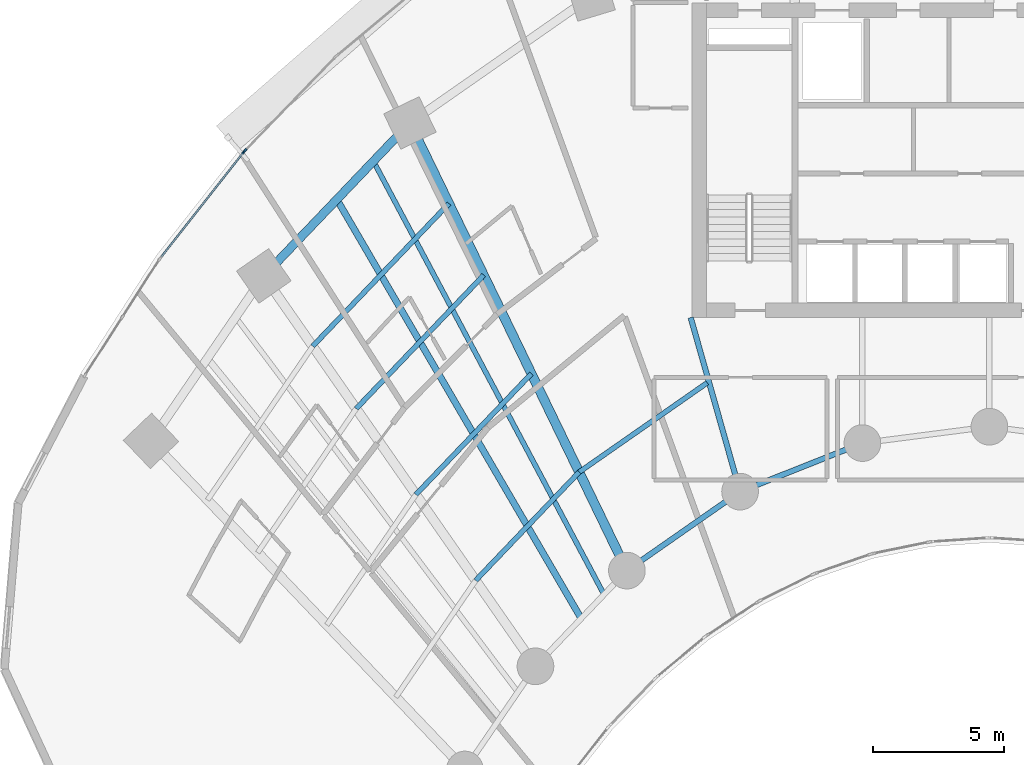
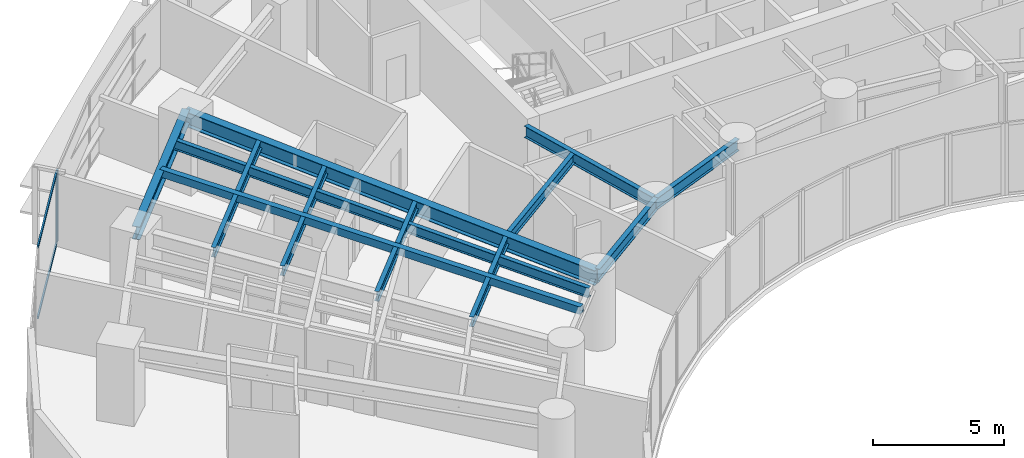
# One storey, part 3 of 17: 12 beams, 4 members, 2 elements without a shape of their own.
"""IFC4 building model written with IfcOpenShell, lengths in metres."""

import ifcopenshell
import ifcopenshell.guid

model = None  # the IFC model being written
_history = None  # IfcOwnerHistory: only IFC2X3 demands one
_inside = {}  # id of a spatial element -> (the spatial element, [elements in it])
_under = {}  # id of a project, library or spatial element -> (it, [spatial elements below it])
_declared = {}  # id of a project -> (the project, [libraries it declares])
_typed = {}  # id of a type object -> (the type object, [elements of that type])
_made_of = {}  # id of a material, layer set ... -> (it, [elements and type objects made of it])


def new_model(schema):
    """Start an empty IFC model of exactly this schema.

    Asked for "IFC4X3", IfcOpenShell would pick the latest addendum, in which some entities
    have other attributes; the version numbers below select the first issue.
    IFC2X3 requires an IfcOwnerHistory on every rooted entity: one is made here for all.
    """
    global model, _history
    if schema == "IFC4X3":
        model = ifcopenshell.file(schema_version=(4, 3, 0, 0))
    else:
        model = ifcopenshell.file(schema=schema)
    _inside.clear()
    _under.clear()
    _declared.clear()
    _typed.clear()
    _made_of.clear()
    _history = None
    if model.schema == "IFC2X3":
        org = make("IfcOrganization", Name="unknown")
        user = make(
            "IfcPersonAndOrganization",
            ThePerson=make("IfcPerson", FamilyName="unknown"),
            TheOrganization=org,
        )
        app = make(
            "IfcApplication",
            ApplicationDeveloper=org,
            Version="unknown",
            ApplicationFullName="unknown",
            ApplicationIdentifier="unknown",
        )
        _history = make(
            "IfcOwnerHistory",
            OwningUser=user,
            OwningApplication=app,
            ChangeAction="ADDED",
            CreationDate=0,
        )
    return model


def make(cls, **values):
    """One entity of the class cls with the attributes given. An attribute that is None is left unset."""
    return model.create_entity(
        cls, **{name: value for name, value in values.items() if value is not None}
    )


def rooted(cls, **values):
    """An entity with a GlobalId (a new one), such as an element, a storey or a relation."""
    return make(cls, GlobalId=ifcopenshell.guid.new(), OwnerHistory=_history, **values)


def si_unit(unit_type, name, prefix=None):
    """IfcSIUnit, for example si_unit("LENGTHUNIT", "METRE", prefix="MILLI")."""
    return make("IfcSIUnit", UnitType=unit_type, Prefix=prefix, Name=name)


def assignment(units):
    """IfcUnitAssignment: the units of a project."""
    return None if units is None else make("IfcUnitAssignment", Units=units)


def point(xyz):
    """IfcCartesianPoint."""
    return None if xyz is None else make("IfcCartesianPoint", Coordinates=xyz)


def direction(xyz):
    """IfcDirection."""
    return None if xyz is None else make("IfcDirection", DirectionRatios=xyz)


def frame(location, z_axis=None, x_axis=None):
    """IfcAxis2Placement3D, a coordinate frame: its origin and axes. An axis left out is left unset."""
    return make(
        "IfcAxis2Placement3D",
        Location=point(location),
        Axis=direction(z_axis),
        RefDirection=direction(x_axis),
    )


def frame_2d(location, x_axis=None):
    """IfcAxis2Placement2D, a coordinate frame in the plane: its origin and x axis."""
    return make(
        "IfcAxis2Placement2D", Location=point(location), RefDirection=direction(x_axis)
    )


def origin():
    """The frame at (0, 0, 0) with its axes left unset."""
    return frame((0.0, 0.0, 0.0))


def origin_2d():
    """The frame at (0, 0) in the plane with its x axis left unset."""
    return frame_2d((0.0, 0.0))


def place(relative_to, where):
    """IfcLocalPlacement: puts the frame where relative to a parent placement (None: the world)."""
    return make(
        "IfcLocalPlacement", PlacementRelTo=relative_to, RelativePlacement=where
    )


def context(
    kind, dimensions, precision=None, world=None, true_north=None, identifier=None
):
    """IfcGeometricRepresentationContext, for example the 3D "Model" context."""
    return make(
        "IfcGeometricRepresentationContext",
        ContextIdentifier=identifier,
        ContextType=kind,
        CoordinateSpaceDimension=dimensions,
        Precision=precision,
        WorldCoordinateSystem=world,
        TrueNorth=true_north,
    )


def subcontext(parent, identifier, kind, view, scale=None):
    """IfcGeometricRepresentationSubContext, for example "Body" below "Model"."""
    return make(
        "IfcGeometricRepresentationSubContext",
        ContextIdentifier=identifier,
        ContextType=kind,
        ParentContext=parent,
        TargetScale=scale,
        TargetView=view,
    )


def project(units=None, contexts=None):
    """IfcProject with its units and contexts."""
    return rooted(
        "IfcProject",
        Name="project",
        RepresentationContexts=contexts,
        UnitsInContext=assignment(units),
    )


def spatial(cls, under=None, at=None, **own):
    """A site, building, storey or space (cls), placed at a placement, below another one or the project."""
    s = rooted(cls, ObjectPlacement=at, **own)
    if under is not None:
        _under.setdefault(under.id(), (under, []))[1].append(s)
    return s


def profile(cls, at=None, kind="AREA", **sizes):
    """A parametric profile (cls). Its sizes go by their IFC names, for example OverallWidth=200.0."""
    return make(cls, ProfileType=kind, Position=at, **sizes)


def rectangle(**sizes):
    """IfcRectangleProfileDef."""
    return profile("IfcRectangleProfileDef", **sizes)


def hollow_rectangle(**sizes):
    """IfcRectangleHollowProfileDef."""
    return profile("IfcRectangleHollowProfileDef", **sizes)


def i_section(**sizes):
    """IfcIShapeProfileDef."""
    return profile("IfcIShapeProfileDef", **sizes)


def extrude(swept, where, along, depth):
    """IfcExtrudedAreaSolid: the profile swept, set in the frame where, extruded along a direction by depth."""
    return make(
        "IfcExtrudedAreaSolid",
        SweptArea=swept,
        Position=where,
        ExtrudedDirection=direction(along),
        Depth=depth,
    )


def shape(context_of_items, identifier, shape_type, items):
    """IfcShapeRepresentation: the items that make up one representation, for example the "Body"."""
    return make(
        "IfcShapeRepresentation",
        ContextOfItems=context_of_items,
        RepresentationIdentifier=identifier,
        RepresentationType=shape_type,
        Items=items,
    )


def source(mapping_origin, context_of_items, identifier, shape_type, items):
    """IfcRepresentationMap: a shape defined once, which mapped items show again and again."""
    return make(
        "IfcRepresentationMap",
        MappingOrigin=mapping_origin,
        MappedRepresentation=shape(context_of_items, identifier, shape_type, items),
    )


def transform(
    local_origin,
    x_axis=None,
    y_axis=None,
    z_axis=None,
    scale=None,
    scale2=None,
    scale3=None,
    uniform=True,
):
    """IfcCartesianTransformationOperator3D, or its non-uniform kind. x_axis, y_axis, z_axis: its Axis1, 2, 3."""
    if uniform:
        return make(
            "IfcCartesianTransformationOperator3D",
            Axis1=direction(x_axis),
            Axis2=direction(y_axis),
            LocalOrigin=point(local_origin),
            Scale=scale,
            Axis3=direction(z_axis),
        )
    return make(
        "IfcCartesianTransformationOperator3DnonUniform",
        Axis1=direction(x_axis),
        Axis2=direction(y_axis),
        LocalOrigin=point(local_origin),
        Scale=scale,
        Axis3=direction(z_axis),
        Scale2=scale2,
        Scale3=scale3,
    )


def mapped(mapping_source, mapping_target):
    """IfcMappedItem: shows the shape of a source again, moved by a transform."""
    return make(
        "IfcMappedItem", MappingSource=mapping_source, MappingTarget=mapping_target
    )


def material(Name=None, Category=None):
    """IfcMaterial."""
    return make("IfcMaterial", Name=Name, Category=Category)


def layer(
    of_material, thickness, ventilated=None, Name=None, Category=None, Priority=None
):
    """IfcMaterialLayer: one layer of a wall or slab, of a material (None: an air gap)."""
    return make(
        "IfcMaterialLayer",
        Material=of_material,
        LayerThickness=thickness,
        IsVentilated=ventilated,
        Name=Name,
        Category=Category,
        Priority=Priority,
    )


def layer_set(layers, Name=None):
    """IfcMaterialLayerSet."""
    return make("IfcMaterialLayerSet", MaterialLayers=layers, LayerSetName=Name)


def material_profile(
    of_material, cross_section, Name=None, Category=None, Priority=None
):
    """IfcMaterialProfile: a cross section and its material."""
    return make(
        "IfcMaterialProfile",
        Name=Name,
        Material=of_material,
        Profile=cross_section,
        Priority=Priority,
        Category=Category,
    )


def profile_set(profiles, Name=None, composite=None):
    """IfcMaterialProfileSet."""
    return make(
        "IfcMaterialProfileSet",
        Name=Name,
        MaterialProfiles=profiles,
        CompositeProfile=composite,
    )


def made_of(thing, what):
    """Note that an element or type object is made of a material, layer set ...; save() writes the relation."""
    if what is not None:
        _made_of.setdefault(what.id(), (what, []))[1].append(thing)
    return thing


def type_object(cls, material=None, **own):
    """A type object (cls), such as IfcWallType, which elements share."""
    return made_of(rooted(cls, **own), material)


def type_shapes(of_type, sources):
    """Give a type object the sources (RepresentationMaps) that its elements show as mapped items."""
    of_type.RepresentationMaps = sources


def element(
    cls,
    number,
    at=None,
    inside=None,
    cuts=None,
    type_object=None,
    material=None,
    context=None,
    identifier="Body",
    shape_type=None,
    held_by="IfcProductDefinitionShape",
    body=None,
    shapes=None,
    **own,
):
    """One element of the class cls, such as IfcWall. Its Tag is "e" and its number.

    at: its placement. inside: the storey or other place that contains it. cuts: it is an
    opening in that element (IfcRelVoidsElement). A single representation is given by context,
    identifier, shape_type and body (its items); several are given by shapes. held_by: the class
    of the entity that holds the representations. save() writes the other relations.
    """
    e = rooted(cls, Tag="e%d" % number, ObjectPlacement=at, **own)
    if body is not None:
        shapes = [shape(context, identifier, shape_type, body)]
    if shapes is not None:
        e.Representation = make(held_by, Representations=shapes)
    if inside is not None:
        _inside.setdefault(inside.id(), (inside, []))[1].append(e)
    if cuts is not None:
        rooted(
            "IfcRelVoidsElement", RelatingBuildingElement=cuts, RelatedOpeningElement=e
        )
    if type_object is not None:
        _typed.setdefault(type_object.id(), (type_object, []))[1].append(e)
    return made_of(e, material)


def aggregate(whole, parts):
    """IfcRelAggregates: a whole, such as a stair, and the parts it consists of."""
    return rooted("IfcRelAggregates", RelatingObject=whole, RelatedObjects=parts)


def save(model, path):
    """Write the relations noted so far, then the file.

    IfcRelAggregates (storeys below a building ...), IfcRelContainedInSpatialStructure (elements
    in a storey), IfcRelDefinesByType, IfcRelAssociatesMaterial and IfcRelDeclares: one each for
    every whole, place, type object, material and project.
    """
    for whole, parts in _under.values():
        aggregate(whole, parts)
    for where, things in _inside.values():
        rooted(
            "IfcRelContainedInSpatialStructure",
            RelatedElements=things,
            RelatingStructure=where,
        )
    for kind, things in _typed.values():
        rooted("IfcRelDefinesByType", RelatedObjects=things, RelatingType=kind)
    for what, things in _made_of.values():
        rooted("IfcRelAssociatesMaterial", RelatedObjects=things, RelatingMaterial=what)
    for by, libraries in _declared.values():
        rooted("IfcRelDeclares", RelatingContext=by, RelatedDefinitions=libraries)
    model.write(path)


model = new_model("IFC4")

# Units and contexts
model_context = context("Model", 3, precision=1e-05, world=origin(), true_north=direction((0.0, 1.0)))
body_context = subcontext(model_context, "Body", "Model", "MODEL_VIEW")
ifc_project = project(units=[si_unit("LENGTHUNIT", "METRE"), si_unit("AREAUNIT", "SQUARE_METRE"), si_unit("VOLUMEUNIT", "CUBIC_METRE"), si_unit("PLANEANGLEUNIT", "RADIAN"), si_unit("MASSUNIT", "GRAM", prefix="KILO")], contexts=[model_context])

# Site, building, storey
site_placement = place(None, origin())
site = spatial("IfcSite", under=ifc_project, at=site_placement, CompositionType="ELEMENT")
building_placement = place(site_placement, origin())
building = spatial("IfcBuilding", under=site, at=building_placement, Name="Breltana Convention Tower", CompositionType="ELEMENT")
storey_placement = place(building_placement, frame((0.0, 0.0, 75.0)))
storey = spatial("IfcBuildingStorey", under=building, at=storey_placement, Name="L17", CompositionType="ELEMENT", Elevation=75.0)

# Beams
ifc_material_1 = material(Name="Steel ASTM A992 Grade 50", Category="steel")
ifc_material_profile_1 = material_profile(ifc_material_1, i_section(OverallWidth=0.323974609375, OverallDepth=0.611083984375, WebThickness=0.0126953125, FlangeThickness=0.01904296875, at=origin_2d()), Name="W24X104")
ifc_profile_set_1 = profile_set([ifc_material_profile_1], Name="Steel ASTM A992 Grade 50")
beam_type_1 = type_object("IfcBeamType", Name="BM-SP-W24X104", PredefinedType="SPANDREL", material=ifc_profile_set_1)
shared_shape_1 = source(origin(), body_context, "Body", "SweptSolid", [
    extrude(i_section(OverallWidth=0.323974609375, OverallDepth=0.611083984375, WebThickness=0.0126953125, FlangeThickness=0.01904296875, at=origin_2d()), origin(), (0.0, 0.0, 1.0), 8.073974609375),
])
beam_1_placement = place(storey_placement, frame((20.310791015625, 61.78857421875, 3.054443359375), z_axis=(0.69072885448, 0.723113856588, 0.0), x_axis=(-0.723113856588, 0.69072885448, 0.0)))
element("IfcBeam", 1, at=beam_1_placement, inside=storey, type_object=beam_type_1, Name="L17 Outer Spandrel Beam 02", PredefinedType="SPANDREL", context=body_context, shape_type="MappedRepresentation", body=[
    mapped(shared_shape_1, transform((0.0, 0.0, 0.0), scale=1.0)),
])
ifc_material_profile_2 = material_profile(ifc_material_1, i_section(OverallWidth=0.35498046875, OverallDepth=0.696044921875, WebThickness=0.015380859375, FlangeThickness=0.02490234375, at=origin_2d()), Name="W27X146")
ifc_profile_set_2 = profile_set([ifc_material_profile_2], Name="Steel ASTM A992 Grade 50")
beam_type_2 = type_object("IfcBeamType", Name="BM-RG-W27X146", PredefinedType="USERDEFINED", material=ifc_profile_set_2)
shared_shape_2 = source(origin(), body_context, "Body", "SweptSolid", [
    extrude(i_section(OverallWidth=0.35498046875, OverallDepth=0.696044921875, WebThickness=0.015380859375, FlangeThickness=0.02490234375, at=origin_2d()), origin(), (0.0, 0.0, 1.0), 18.982421875),
])
beam_2_placement = place(storey_placement, frame((34.166259765625, 50.544921875, 3.011962890625), z_axis=(-0.436118560343, 0.89988921614, 0.0), x_axis=(-0.89988921614, -0.436118560343, 0.0)))
element("IfcBeam", 2, at=beam_2_placement, inside=storey, type_object=beam_type_2, Name="L17 Radial Floor Girder R03", ObjectType="GIRDER", PredefinedType="USERDEFINED", context=body_context, shape_type="MappedRepresentation", body=[
    mapped(shared_shape_2, transform((0.0, 0.0, 0.0), scale=1.0)),
])
ifc_material_profile_3 = material_profile(ifc_material_1, i_section(OverallWidth=0.2099609375, OverallDepth=0.537109375, WebThickness=0.010986328125, FlangeThickness=0.017333984375, at=origin_2d()), Name="W21X68")
ifc_profile_set_3 = profile_set([ifc_material_profile_3], Name="Steel ASTM A992 Grade 50")
beam_type_3 = type_object("IfcBeamType", Name="BM-BM-W21X68", PredefinedType="BEAM", material=ifc_profile_set_3)
shared_shape_3 = source(origin(), body_context, "Body", "SweptSolid", [
    extrude(i_section(OverallWidth=0.2099609375, OverallDepth=0.537109375, WebThickness=0.010986328125, FlangeThickness=0.017333984375, at=origin_2d()), origin(), (0.0, 0.0, 1.0), 6.904541015625),
])
type_shapes(beam_type_3, [shared_shape_3])
beam_3_placement = place(storey_placement, frame((36.60009765625, 60.199951171875, 3.091552734375), z_axis=(0.273006781054, -0.962012108811, 0.0), x_axis=(0.962012108811, 0.273006781054, 0.0)))
element("IfcBeam", 3, at=beam_3_placement, inside=storey, type_object=beam_type_3, Name="L17 South Core Tie Girder R04", PredefinedType="BEAM", context=body_context, shape_type="MappedRepresentation", body=[
    mapped(shared_shape_3, transform((0.0, 0.0, 0.0), scale=1.0)),
])
shared_shape_4 = source(origin(), body_context, "Body", "SweptSolid", [
    extrude(i_section(OverallWidth=0.2099609375, OverallDepth=0.537109375, WebThickness=0.010986328125, FlangeThickness=0.017333984375, at=origin_2d()), origin(), (0.0, 0.0, 1.0), 5.265869140625),
])
beam_4_placement = place(storey_placement, frame((34.166259765625, 50.544921875, 3.091552734375), z_axis=(0.820167429517, 0.572123577176, 0.0), x_axis=(-0.572123577176, 0.820167429517, 0.0)))
element("IfcBeam", 4, at=beam_4_placement, inside=storey, type_object=beam_type_3, Name="L17 Inner Ring Beam 03", PredefinedType="BEAM", context=body_context, shape_type="MappedRepresentation", body=[
    mapped(shared_shape_4, transform((0.0, 0.0, 0.0), scale=1.0)),
])
shared_shape_5 = source(origin(), body_context, "Body", "SweptSolid", [
    extrude(i_section(OverallWidth=0.2099609375, OverallDepth=0.537109375, WebThickness=0.010986328125, FlangeThickness=0.017333984375, at=origin_2d()), origin(), (0.0, 0.0, 1.0), 5.022705078125),
])
beam_5_placement = place(storey_placement, frame((38.485107421875, 53.5576171875, 3.091552734375), z_axis=(0.929458966248, 0.368925507469, 0.0), x_axis=(-0.368925507469, 0.929458966248, 0.0)))
element("IfcBeam", 5, at=beam_5_placement, inside=storey, type_object=beam_type_3, Name="L17 Inner Ring Beam 04", PredefinedType="BEAM", context=body_context, shape_type="MappedRepresentation", body=[
    mapped(shared_shape_5, transform((0.0, 0.0, 0.0), scale=1.0)),
])
ifc_material_profile_4 = material_profile(ifc_material_1, i_section(OverallWidth=0.19091796875, OverallDepth=0.4599609375, WebThickness=0.010009765625, FlangeThickness=0.01611328125, at=origin_2d()), Name="W18X55")
ifc_profile_set_4 = profile_set([ifc_material_profile_4], Name="Steel ASTM A992 Grade 50")
beam_type_4 = type_object("IfcBeamType", Name="BM-JSG-07", PredefinedType="JOIST", material=ifc_profile_set_4)
shared_shape_6 = source(origin(), body_context, "Body", "SweptSolid", [
    extrude(i_section(OverallWidth=0.19091796875, OverallDepth=0.4599609375, WebThickness=0.010009765625, FlangeThickness=0.01611328125, at=origin_2d()), origin(), (0.0, 0.0, 1.0), 5.716064453125),
])
beam_6_placement = place(storey_placement, frame((28.396484375, 50.169677734375, 3.1298828125), z_axis=(0.690756060045, 0.723087868458, 0.0), x_axis=(-0.723087868458, 0.690756060045, 0.0)))
element("IfcBeam", 6, at=beam_6_placement, inside=storey, type_object=beam_type_4, Name="L17 Composite Floor Joist 02.1", PredefinedType="JOIST", context=body_context, shape_type="MappedRepresentation", body=[
    mapped(shared_shape_6, transform((0.0, 0.0, 0.0), scale=1.0)),
])
shared_shape_7 = source(origin(), body_context, "Body", "SweptSolid", [
    extrude(i_section(OverallWidth=0.19091796875, OverallDepth=0.4599609375, WebThickness=0.010009765625, FlangeThickness=0.01611328125, at=origin_2d()), origin(), (0.0, 0.0, 1.0), 6.381103515625),
])
beam_7_placement = place(storey_placement, frame((26.115966796875, 53.44677734375, 3.1298828125), z_axis=(0.690737768889, 0.723105341309, 0.0), x_axis=(-0.723105341309, 0.690737768889, 0.0)))
element("IfcBeam", 7, at=beam_7_placement, inside=storey, type_object=beam_type_4, Name="L17 Composite Floor Joist 02.2", PredefinedType="JOIST", context=body_context, shape_type="MappedRepresentation", body=[
    mapped(shared_shape_7, transform((0.0, 0.0, 0.0), scale=1.0)),
])
shared_shape_8 = source(origin(), body_context, "Body", "SweptSolid", [
    extrude(i_section(OverallWidth=0.19091796875, OverallDepth=0.4599609375, WebThickness=0.010009765625, FlangeThickness=0.01611328125, at=origin_2d()), origin(), (0.0, 0.0, 1.0), 7.046142578125),
])
beam_8_placement = place(storey_placement, frame((23.83544921875, 56.723876953125, 3.1298828125), z_axis=(0.690722929904, 0.723119515782, 0.0), x_axis=(-0.723119515782, 0.690722929904, 0.0)))
element("IfcBeam", 8, at=beam_8_placement, inside=storey, type_object=beam_type_4, Name="L17 Composite Floor Joist 02.3", PredefinedType="JOIST", context=body_context, shape_type="MappedRepresentation", body=[
    mapped(shared_shape_8, transform((0.0, 0.0, 0.0), scale=1.0)),
])
shared_shape_9 = source(origin(), body_context, "Body", "SweptSolid", [
    extrude(i_section(OverallWidth=0.19091796875, OverallDepth=0.4599609375, WebThickness=0.010009765625, FlangeThickness=0.01611328125, at=origin_2d()), origin(), (0.0, 0.0, 1.0), 7.529541015625),
])
beam_9_placement = place(storey_placement, frame((22.1767578125, 59.107421875, 3.1298828125), z_axis=(0.690725562031, 0.723117001568, 0.0), x_axis=(-0.723117001568, 0.690725562031, 0.0)))
element("IfcBeam", 9, at=beam_9_placement, inside=storey, type_object=beam_type_4, Name="L17 Composite Floor Joist 02.4", PredefinedType="JOIST", context=body_context, shape_type="MappedRepresentation", body=[
    mapped(shared_shape_9, transform((0.0, 0.0, 0.0), scale=1.0)),
])
ifc_material_profile_5 = material_profile(ifc_material_1, hollow_rectangle(XDim=0.25, YDim=0.35009765625, WallThickness=0.011962890625, at=origin_2d()), Name="RHS350X250X12")
ifc_profile_set_5 = profile_set([ifc_material_profile_5], Name="Steel ASTM A992 Grade 50")
beam_type_5 = type_object("IfcBeamType", Name="BM-JSG-12", PredefinedType="JOIST", material=ifc_profile_set_5)
shared_shape_10 = source(origin(), body_context, "Body", "SweptSolid", [
    extrude(hollow_rectangle(XDim=0.25, YDim=0.35009765625, WallThickness=0.011962890625, at=origin_2d()), origin(), (0.0, 0.0, 1.0), 18.50830078125),
])
beam_10_placement = place(storey_placement, frame((32.421630859375, 48.71875, 3.18505859375), z_axis=(-0.50368319637, 0.863888440537, 0.0), x_axis=(-0.863888440537, -0.50368319637, 0.0)))
element("IfcBeam", 10, at=beam_10_placement, inside=storey, type_object=beam_type_5, Name="L17 Mid-Bay Radial Trimmer 02", PredefinedType="JOIST", context=body_context, shape_type="MappedRepresentation", body=[
    mapped(shared_shape_10, transform((0.0, 0.0, 0.0), scale=1.0)),
])
shared_shape_11 = source(origin(), body_context, "Body", "SweptSolid", [
    extrude(i_section(OverallWidth=0.19091796875, OverallDepth=0.4599609375, WebThickness=0.010009765625, FlangeThickness=0.01611328125, at=origin_2d()), origin(), (0.0, 0.0, 1.0), 18.731689453125),
])
beam_11_placement = place(storey_placement, frame((33.2939453125, 49.6318359375, 3.1298828125), z_axis=(-0.469820250451, 0.882762104004, 0.0), x_axis=(-0.882762104004, -0.469820250451, 0.0)))
element("IfcBeam", 11, at=beam_11_placement, inside=storey, type_object=beam_type_4, Name="L17 Quarter-Bay Radial Trimmer 02", PredefinedType="JOIST", context=body_context, shape_type="MappedRepresentation", body=[
    mapped(shared_shape_11, transform((0.0, 0.0, 0.0), scale=1.0)),
])
shared_shape_12 = source(origin(), body_context, "Body", "SweptSolid", [
    extrude(i_section(OverallWidth=0.19091796875, OverallDepth=0.4599609375, WebThickness=0.010009765625, FlangeThickness=0.01611328125, at=origin_2d()), origin(), (0.0, 0.0, 1.0), 5.959228515625),
])
beam_12_placement = place(storey_placement, frame((32.344970703125, 54.302978515625, 3.1298828125), z_axis=(0.820160485262, 0.572133531979, 0.0), x_axis=(-0.572133531979, 0.820160485262, 0.0)))
element("IfcBeam", 12, at=beam_12_placement, inside=storey, type_object=beam_type_4, Name="L17 Composite Floor Joist 03.1", PredefinedType="JOIST", context=body_context, shape_type="MappedRepresentation", body=[
    mapped(shared_shape_12, transform((0.0, 0.0, 0.0), scale=1.0)),
])

# Curtain wall, member
ifc_material_2 = material(Name="Aluminium Anodised Bronze Frame", Category="aluminium")
ifc_layer = layer(ifc_material_2, 0.199951171875, Name="Aluminium Anodised Bronze Frame")
ifc_layer_set = layer_set([ifc_layer], Name="Aluminium Anodised Bronze Frame")
curtain_wall_type = type_object("IfcCurtainWallType", Name="CW-SYS-2", PredefinedType="NOTDEFINED", material=ifc_layer_set)
curtain_wall_1_placement = place(storey_placement, origin())
curtain_wall_1 = element("IfcCurtainWall", 13, at=curtain_wall_1_placement, inside=storey, type_object=curtain_wall_type, Name="L17 outer double-skin inner glazing 2", PredefinedType="NOTDEFINED")
ifc_material_3 = material(Name="Aluminium Anodised Bronze", Category="aluminium")
ifc_material_profile_6 = material_profile(ifc_material_3, rectangle(XDim=0.070068359375, YDim=0.175048828125, at=origin_2d()), Name="CWM-70X175")
ifc_profile_set_6 = profile_set([ifc_material_profile_6], Name="Aluminium Anodised Bronze")
member_type_1 = type_object("IfcMemberType", Name="CWM-175", PredefinedType="MULLION", material=ifc_profile_set_6)
shared_shape_13 = source(origin(), body_context, "Body", "SweptSolid", [
    extrude(rectangle(XDim=0.070068359375, YDim=0.175048828125, at=origin_2d()), origin(), (0.0, 0.0, 1.0), 3.360107421875),
])
type_shapes(member_type_1, [shared_shape_13])
member_1_placement = place(storey_placement, frame((19.545166015625, 66.518798828125, 0.0), z_axis=(0.0, 0.0, 1.0), x_axis=(-0.786057080698, 0.618153917633, 0.0)))
member_1 = element("IfcMember", 14, at=member_1_placement, type_object=member_type_1, Name="CW-02 mullion 2", PredefinedType="MULLION", context=body_context, shape_type="MappedRepresentation", body=[
    mapped(shared_shape_13, transform((0.0, 0.0, 0.0), scale=1.0)),
])

curtain_wall_2_placement = place(storey_placement, origin())
curtain_wall_2 = element("IfcCurtainWall", 15, at=curtain_wall_2_placement, inside=storey, type_object=curtain_wall_type, Name="L17 outer double-skin inner glazing 3", PredefinedType="NOTDEFINED")
member_2_placement = place(storey_placement, frame((19.591064453125, 66.571533203125, 0.0), z_axis=(0.0, 0.0, 1.0), x_axis=(-0.719386421003, 0.694610090106, 0.0)))
member_2 = element("IfcMember", 16, at=member_2_placement, type_object=member_type_1, Name="CW-02 mullion 1", PredefinedType="MULLION", context=body_context, shape_type="MappedRepresentation", body=[
    mapped(shared_shape_13, transform((0.0, 0.0, 0.0), scale=1.0)),
])
aggregate(curtain_wall_2, [member_2])

# Member
ifc_material_profile_7 = material_profile(ifc_material_3, rectangle(XDim=0.070068359375, YDim=0.1201171875, at=origin_2d()), Name="CWT-70X120")
ifc_profile_set_7 = profile_set([ifc_material_profile_7], Name="Aluminium Anodised Bronze")
member_type_2 = type_object("IfcMemberType", Name="CWT-120", PredefinedType="USERDEFINED", material=ifc_profile_set_7)
shared_shape_14 = source(origin(), body_context, "Body", "SweptSolid", [
    extrude(rectangle(XDim=0.070068359375, YDim=0.1201171875, at=origin_2d()), origin(), (0.0, 0.0, 1.0), 5.0546875),
])
member_3_placement = place(storey_placement, frame((16.39892578125, 62.51806640625, 0.034912109375), z_axis=(0.618135067667, 0.786071903913, 0.0), x_axis=(-0.786071903913, 0.618135067667, 0.0)))
member_3 = element("IfcMember", 17, at=member_3_placement, type_object=member_type_2, Name="CW-02 transom 1.1", ObjectType="TRANSOM", PredefinedType="USERDEFINED", context=body_context, shape_type="MappedRepresentation", body=[
    mapped(shared_shape_14, transform((0.0, 0.0, 0.0), scale=1.0)),
])

member_4_placement = place(storey_placement, frame((16.39892578125, 62.51806640625, 3.324951171875), z_axis=(0.618135067667, 0.786071903913, 0.0), x_axis=(-0.786071903913, 0.618135067667, 0.0)))
member_4 = element("IfcMember", 18, at=member_4_placement, type_object=member_type_2, Name="CW-02 transom 1.2", ObjectType="TRANSOM", PredefinedType="USERDEFINED", context=body_context, shape_type="MappedRepresentation", body=[
    mapped(shared_shape_14, transform((0.0, 0.0, 0.0), scale=1.0)),
])

aggregate(curtain_wall_1, [member_1, member_3, member_4])

save(model, "model.ifc")
